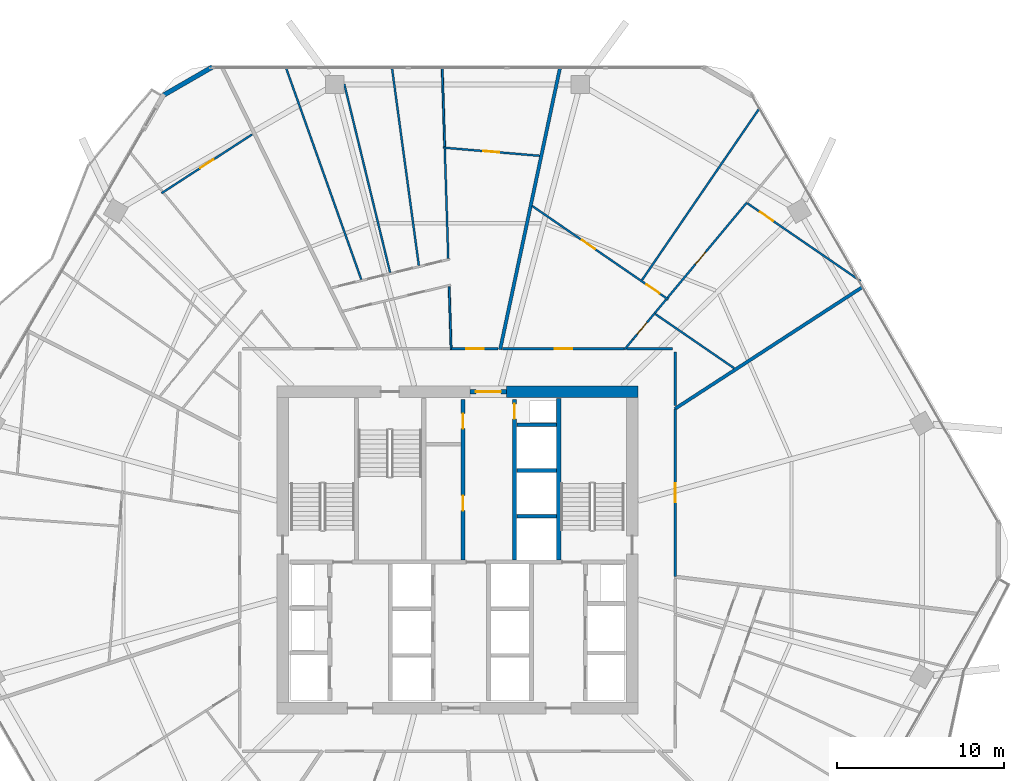
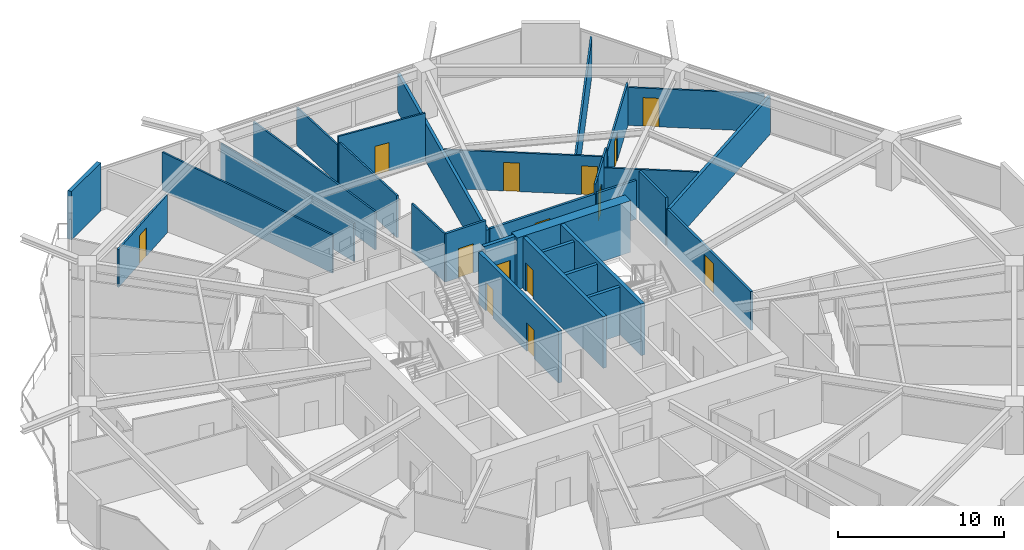
# One storey, part 27 of 32: 32 walls, 14 doors, 14 openings.
"""IFC4 building model written with IfcOpenShell, lengths in metres."""

from ifc_helpers import new_model, si_unit, direction, frame, frame_2d, origin, place, context, subcontext, project, spatial, rectangle, extrude, material, layer, layer_set, type_object, element, fill, save


model = new_model("IFC4")

# Units and contexts
model_context = context("Model", 3, precision=1e-05, world=origin(), true_north=direction((0.0, 1.0)))
body_context = subcontext(model_context, "Body", "Model", "MODEL_VIEW")
ifc_project = project(units=[si_unit("LENGTHUNIT", "METRE"), si_unit("AREAUNIT", "SQUARE_METRE"), si_unit("VOLUMEUNIT", "CUBIC_METRE"), si_unit("PLANEANGLEUNIT", "RADIAN"), si_unit("MASSUNIT", "GRAM", prefix="KILO")], contexts=[model_context])

# Site, building, storey
site_placement = place(None, origin())
site = spatial("IfcSite", under=ifc_project, at=site_placement, CompositionType="ELEMENT")
building_placement = place(site_placement, origin())
building = spatial("IfcBuilding", under=site, at=building_placement, Name="Zuhravey Tower", CompositionType="ELEMENT")
storey_placement = place(building_placement, frame((0.0, 0.0, 119.0)))
storey = spatial("IfcBuildingStorey", under=building, at=storey_placement, Name="L29", CompositionType="ELEMENT", Elevation=119.0)

# Wall
ifc_material_1 = material(Name="Concrete C60/75", Category="concrete")
ifc_layer_1 = layer(ifc_material_1, 0.699951171875)
ifc_layer_set_1 = layer_set([ifc_layer_1], Name="Concrete C60/75")
wall_type_1 = type_object("IfcWallType", Name="Core Shear Wall 700", PredefinedType="SHEAR", material=ifc_layer_set_1)
wall_1_placement = place(storey_placement, frame((46.85009765625, 41.5, 0.0), z_axis=(0.0, 0.0, 1.0), x_axis=(-1.0, 0.0, 0.0)))
element("IfcWall", 1, at=wall_1_placement, inside=storey, type_object=wall_type_1, Name="L29 North-East Core Shear Wall CW70", PredefinedType="SHEAR", context=body_context, shape_type="SweptSolid", body=[
    extrude(rectangle(XDim=7.900146484375, YDim=0.699951171875, at=frame_2d((3.9501953125, 0.0))), origin(), (0.0, 0.0, 1.0), 3.800048828125),
])

# Wall, opening, door
ifc_material_2 = material(Name="Gypsum fire-rated stud partition")
ifc_layer_2 = layer(ifc_material_2, 0.159912109375)
ifc_layer_set_2 = layer_set([ifc_layer_2], Name="Gypsum fire-rated stud partition")
wall_type_2 = type_object("IfcWallType", Name="Corridor Fire Partition 160", PredefinedType="PARTITIONING", material=ifc_layer_set_2)
wall_2_placement = place(storey_placement, frame((46.031494140625, 44.080078125, 0.0), z_axis=(0.0, 0.0, 1.0), x_axis=(-1.0, 0.0, 0.0)))
wall_2 = element("IfcWall", 2, at=wall_2_placement, inside=storey, type_object=wall_type_2, Name="L29 IW16 Partition 024", PredefinedType="PARTITIONING", context=body_context, shape_type="SweptSolid", body=[
    extrude(rectangle(XDim=7.3330078125, YDim=0.159912109375, at=frame_2d((3.66650390625, 0.0))), origin(), (0.0, 0.0, 1.0), 2.85009765625),
])
opening_1_placement = place(wall_2_placement, frame((3.1416015625, 0.0, 0.0)))
opening_1 = element("IfcOpeningElement", 3, at=opening_1_placement, cuts=wall_2, Name="Opening APD1", PredefinedType="OPENING", context=body_context, shape_type="SweptSolid", body=[
    extrude(rectangle(XDim=1.050048828125, YDim=2.14990234375, at=frame_2d((0.52490234375, 1.074951171875))), frame((0.0, 0.092041015625, 0.0), z_axis=(0.0, -1.0, 0.0), x_axis=(1.0, 0.0, 0.0)), (0.0, 0.0, 1.0), 0.183837890625),
])
ifc_material_3 = material(Name="Solid-core oak fire-rated leaf")
door_type_1 = type_object("IfcDoorType", Name="Apartment Entrance Fire Door 1050x2150", OperationType="NOTDEFINED", PredefinedType="DOOR", material=ifc_material_3)
door_1_placement = place(opening_1_placement, frame((1.050048828125, 0.0, 0.0), z_axis=(0.0, 0.0, 1.0), x_axis=(-1.0, 0.0, 0.0)))
door_1 = element("IfcDoor", 4, at=door_1_placement, inside=storey, type_object=door_type_1, Name="L29 Door 024.1", OperationType="SINGLE_SWING_RIGHT", OverallHeight=2.14990234375, OverallWidth=1.050048828125, PredefinedType="DOOR", context=body_context, shape_type="SweptSolid", body=[
    extrude(rectangle(XDim=1.050048828125, YDim=2.14990234375, at=frame_2d((0.52490234375, 1.074951171875))), frame((0.0, 0.02490234375, 0.0), z_axis=(0.0, -1.0, 0.0), x_axis=(1.0, 0.0, 0.0)), (0.0, 0.0, 1.0), 0.050048828125),
])
fill(opening_1, door_1)

wall_3_placement = place(storey_placement, frame((38.437255859375, 44.080078125, 0.0), z_axis=(0.0, 0.0, 1.0), x_axis=(-1.0, 0.0, 0.0)))
wall_3 = element("IfcWall", 5, at=wall_3_placement, inside=storey, type_object=wall_type_2, Name="L29 IW16 Partition 028", PredefinedType="PARTITIONING", context=body_context, shape_type="SweptSolid", body=[
    extrude(rectangle(XDim=2.801025390625, YDim=0.159912109375, at=frame_2d((1.400390625, 0.0))), origin(), (0.0, 0.0, 1.0), 3.550048828125),
])
opening_2_placement = place(wall_3_placement, frame((0.87548828125, 0.0, 0.0)))
opening_2 = element("IfcOpeningElement", 6, at=opening_2_placement, cuts=wall_3, Name="Opening APD1", PredefinedType="OPENING", context=body_context, shape_type="SweptSolid", body=[
    extrude(rectangle(XDim=1.050048828125, YDim=2.14990234375, at=frame_2d((0.52490234375, 1.074951171875))), frame((0.0, 0.092041015625, 0.0), z_axis=(0.0, -1.0, 0.0), x_axis=(1.0, 0.0, 0.0)), (0.0, 0.0, 1.0), 0.183837890625),
])
door_2_placement = place(opening_2_placement, frame((1.050048828125, 0.0, 0.0), z_axis=(0.0, 0.0, 1.0), x_axis=(-1.0, 0.0, 0.0)))
door_2 = element("IfcDoor", 7, at=door_2_placement, inside=storey, type_object=door_type_1, Name="L29 Door 028.1", OperationType="SINGLE_SWING_RIGHT", OverallHeight=2.14990234375, OverallWidth=1.050048828125, PredefinedType="DOOR", context=body_context, shape_type="SweptSolid", body=[
    extrude(rectangle(XDim=1.050048828125, YDim=2.14990234375, at=frame_2d((0.52490234375, 1.074951171875))), frame((0.0, 0.02490234375, 0.0), z_axis=(0.0, -1.0, 0.0), x_axis=(1.0, 0.0, 0.0)), (0.0, 0.0, 1.0), 0.050048828125),
])
fill(opening_2, door_2)

wall_4_placement = place(storey_placement, frame((49.080078125, 30.4140625, 0.0), z_axis=(0.0, 0.0, 1.0), x_axis=(0.0, 1.0, 0.0)))
wall_4 = element("IfcWall", 8, at=wall_4_placement, inside=storey, type_object=wall_type_2, Name="L29 IW16 Partition 058", PredefinedType="PARTITIONING", context=body_context, shape_type="SweptSolid", body=[
    extrude(rectangle(XDim=10.056396484375, YDim=0.159912109375, at=frame_2d((5.0283203125, 0.0))), origin(), (0.0, 0.0, 1.0), 2.85009765625),
])
opening_3_placement = place(wall_4_placement, frame((4.453125, 0.0, 0.0)))
opening_3 = element("IfcOpeningElement", 9, at=opening_3_placement, cuts=wall_4, Name="Opening CLD1", PredefinedType="OPENING", context=body_context, shape_type="SweptSolid", body=[
    extrude(rectangle(XDim=1.14990234375, YDim=2.199951171875, at=frame_2d((0.574951171875, 1.10009765625))), frame((0.0, 0.092041015625, 0.0), z_axis=(0.0, -1.0, 0.0), x_axis=(1.0, 0.0, 0.0)), (0.0, 0.0, 1.0), 0.183837890625),
])
ifc_material_4 = material(Name="Acoustic timber leaf with vision lite", Category="wood")
door_type_2 = type_object("IfcDoorType", Name="Classroom Acoustic Door 1150x2200", OperationType="NOTDEFINED", PredefinedType="DOOR", material=ifc_material_4)
door_3_placement = place(opening_3_placement, frame((1.14990234375, 0.0, 0.0), z_axis=(0.0, 0.0, 1.0), x_axis=(-1.0, 0.0, 0.0)))
door_3 = element("IfcDoor", 10, at=door_3_placement, inside=storey, type_object=door_type_2, Name="L29 Door 058.1", OperationType="SINGLE_SWING_LEFT", OverallHeight=2.199951171875, OverallWidth=1.14990234375, PredefinedType="DOOR", context=body_context, shape_type="SweptSolid", body=[
    extrude(rectangle(XDim=1.14990234375, YDim=2.199951171875, at=frame_2d((0.574951171875, 1.10009765625))), frame((0.0, 0.02490234375, 0.0), z_axis=(0.0, -1.0, 0.0), x_axis=(1.0, 0.0, 0.0)), (0.0, 0.0, 1.0), 0.050048828125),
])
fill(opening_3, door_3)

# Walls
wall_5_placement = place(storey_placement, frame((49.080078125, 40.681396484375, 0.0), z_axis=(0.0, 0.0, 1.0), x_axis=(0.0, 1.0, 0.0)))
element("IfcWall", 11, at=wall_5_placement, inside=storey, type_object=wall_type_2, Name="L29 IW16 Partition 114", PredefinedType="PARTITIONING", context=body_context, shape_type="SweptSolid", body=[
    extrude(rectangle(XDim=3.218505859375, YDim=0.159912109375, at=frame_2d((1.609375, 0.0))), origin(), (0.0, 0.0, 1.0), 3.550048828125),
])
wall_6_placement = place(storey_placement, frame((48.89990234375, 44.080078125, 0.0), z_axis=(0.0, 0.0, 1.0), x_axis=(-1.0, 0.0, 0.0)))
element("IfcWall", 12, at=wall_6_placement, inside=storey, type_object=wall_type_2, Name="L29 IW16 Partition 115", PredefinedType="PARTITIONING", context=body_context, shape_type="SweptSolid", body=[
    extrude(rectangle(XDim=2.75390625, YDim=0.159912109375, at=frame_2d((1.376953125, 0.0))), origin(), (0.0, 0.0, 1.0), 2.85009765625),
])
ifc_material_5 = material(Name="Precast concrete C40/50", Category="concrete")
ifc_layer_3 = layer(ifc_material_5, 0.280029296875)
ifc_layer_set_3 = layer_set([ifc_layer_3], Name="Precast concrete C40/50")
wall_type_3 = type_object("IfcWallType", Name="Crown Architectural Wall 280", PredefinedType="SOLIDWALL", material=ifc_layer_set_3)
wall_7_placement = place(storey_placement, frame((18.23876953125, 59.24853515625, 0.0), z_axis=(0.0, 0.0, 1.0), x_axis=(0.866007452331, 0.500031091541, 0.0)))
element("IfcWall", 13, at=wall_7_placement, inside=storey, type_object=wall_type_3, Name="L29 Rounded Corner Closure Wall EW28-08", PredefinedType="SOLIDWALL", context=body_context, shape_type="SweptSolid", body=[
    extrude(rectangle(XDim=3.514892578125, YDim=0.280029296875, at=frame_2d((1.75732421875, 0.0))), origin(), (0.0, 0.0, 1.0), 3.550048828125),
])

# Wall, opening, door
ifc_material_6 = material(Name="Concrete C50/60", Category="concrete")
ifc_layer_4 = layer(ifc_material_6, 0.25)
ifc_layer_set_4 = layer_set([ifc_layer_4], Name="Concrete C50/60")
wall_type_4 = type_object("IfcWallType", Name="Firefighting Shaft & Stair Wall 250", PredefinedType="SOLIDWALL", material=ifc_layer_set_4)
wall_8_placement = place(storey_placement, frame((36.760009765625, 41.5, 0.0), z_axis=(0.0, 0.0, 1.0), x_axis=(1.0, 0.0, 0.0)))
wall_8 = element("IfcWall", 14, at=wall_8_placement, inside=storey, type_object=wall_type_4, Name="L29 FW25 Shaft Wall 002", PredefinedType="SOLIDWALL", context=body_context, shape_type="SweptSolid", body=[
    extrude(rectangle(XDim=2.179931640625, YDim=0.25, at=frame_2d((1.08984375, 0.0))), origin(), (0.0, 0.0, 1.0), 3.800048828125),
])
opening_4_placement = place(wall_8_placement, frame((0.340087890625, 0.0, 0.0)))
opening_4 = element("IfcOpeningElement", 15, at=opening_4_placement, cuts=wall_8, Name="Opening FFD1", PredefinedType="OPENING", context=body_context, shape_type="SweptSolid", body=[
    extrude(rectangle(XDim=1.5, YDim=2.14990234375, at=frame_2d((0.75, 1.074951171875))), frame((0.0, 0.136962890625, 0.0), z_axis=(0.0, -1.0, 0.0), x_axis=(1.0, 0.0, 0.0)), (0.0, 0.0, 1.0), 0.27392578125),
])
ifc_material_7 = material(Name="Galvanised fire-rated steel leaf", Category="steel")
door_type_3 = type_object("IfcDoorType", Name="Firefighting Lobby Double Door 1500x2150", OperationType="DOUBLE_DOOR_SINGLE_SWING", PredefinedType="DOOR", material=ifc_material_7)
door_4_placement = place(opening_4_placement, origin())
door_4 = element("IfcDoor", 16, at=door_4_placement, inside=storey, type_object=door_type_3, Name="L29 North Lift Lobby Exit Door", OperationType="DOUBLE_DOOR_SINGLE_SWING", OverallHeight=2.14990234375, OverallWidth=1.5, PredefinedType="DOOR", context=body_context, shape_type="SweptSolid", body=[
    extrude(rectangle(XDim=1.5, YDim=2.14990234375, at=frame_2d((0.75, 1.074951171875))), frame((0.0, 0.02490234375, 0.0), z_axis=(0.0, -1.0, 0.0), x_axis=(1.0, 0.0, 0.0)), (0.0, 0.0, 1.0), 0.050048828125),
])
fill(opening_4, door_4)

# Wall
wall_9_placement = place(storey_placement, frame((42.074951171875, 31.39990234375, 0.0), z_axis=(0.0, 0.0, 1.0), x_axis=(0.0, 1.0, 0.0)))
element("IfcWall", 17, at=wall_9_placement, inside=storey, type_object=wall_type_4, Name="L29 FW25 Shaft Wall 006", PredefinedType="SOLIDWALL", context=body_context, shape_type="SweptSolid", body=[
    extrude(rectangle(XDim=9.7001953125, YDim=0.25, at=frame_2d((4.85009765625, 0.0))), origin(), (0.0, 0.0, 1.0), 3.800048828125),
])

# Wall, openings, doors
wall_10_placement = place(storey_placement, frame((36.324951171875, 31.39990234375, 0.0), z_axis=(0.0, 0.0, 1.0), x_axis=(0.0, 1.0, 0.0)))
wall_10 = element("IfcWall", 18, at=wall_10_placement, inside=storey, type_object=wall_type_4, Name="L29 FW25 Shaft Wall 007", PredefinedType="SOLIDWALL", context=body_context, shape_type="SweptSolid", body=[
    extrude(rectangle(XDim=9.650146484375, YDim=0.25, at=frame_2d((4.8251953125, 0.0))), origin(), (0.0, 0.0, 1.0), 3.800048828125),
])
opening_5_placement = place(wall_10_placement, frame((2.965087890625, 0.0, 0.0)))
opening_5 = element("IfcOpeningElement", 19, at=opening_5_placement, cuts=wall_10, Name="Opening RSD1", PredefinedType="OPENING", context=body_context, shape_type="SweptSolid", body=[
    extrude(rectangle(XDim=0.89990234375, YDim=2.10009765625, at=frame_2d((0.449951171875, 1.050048828125))), frame((0.0, 0.136962890625, 0.0), z_axis=(0.0, -1.0, 0.0), x_axis=(1.0, 0.0, 0.0)), (0.0, 0.0, 1.0), 0.27392578125),
])
opening_6_placement = place(wall_10_placement, frame((7.885009765625, 0.0, 0.0)))
opening_6 = element("IfcOpeningElement", 20, at=opening_6_placement, cuts=wall_10, Name="Opening RSD1", PredefinedType="OPENING", context=body_context, shape_type="SweptSolid", body=[
    extrude(rectangle(XDim=0.89990234375, YDim=2.10009765625, at=frame_2d((0.449951171875, 1.050048828125))), frame((0.0, 0.136962890625, 0.0), z_axis=(0.0, -1.0, 0.0), x_axis=(1.0, 0.0, 0.0)), (0.0, 0.0, 1.0), 0.27392578125),
])
ifc_material_8 = material(Name="Galvanised fire-rated steel access leaf", Category="steel")
door_type_4 = type_object("IfcDoorType", Name="Riser & Shaft Access Fire Door 900x2100", OperationType="NOTDEFINED", PredefinedType="DOOR", material=ifc_material_8)
door_5_placement = place(opening_5_placement, origin())
door_5 = element("IfcDoor", 21, at=door_5_placement, inside=storey, type_object=door_type_4, Name="L29 Equipment and Refuse Store Door", OperationType="SINGLE_SWING_LEFT", OverallHeight=2.10009765625, OverallWidth=0.89990234375, PredefinedType="DOOR", context=body_context, shape_type="SweptSolid", body=[
    extrude(rectangle(XDim=0.89990234375, YDim=2.10009765625, at=frame_2d((0.449951171875, 1.050048828125))), frame((0.0, 0.02490234375, 0.0), z_axis=(0.0, -1.0, 0.0), x_axis=(1.0, 0.0, 0.0)), (0.0, 0.0, 1.0), 0.050048828125),
])
fill(opening_5, door_5)
door_6_placement = place(opening_6_placement, origin())
door_6 = element("IfcDoor", 22, at=door_6_placement, inside=storey, type_object=door_type_4, Name="L29 BMS Control Room Door", OperationType="SINGLE_SWING_RIGHT", OverallHeight=2.10009765625, OverallWidth=0.89990234375, PredefinedType="DOOR", context=body_context, shape_type="SweptSolid", body=[
    extrude(rectangle(XDim=0.89990234375, YDim=2.10009765625, at=frame_2d((0.449951171875, 1.050048828125))), frame((0.0, 0.02490234375, 0.0), z_axis=(0.0, -1.0, 0.0), x_axis=(1.0, 0.0, 0.0)), (0.0, 0.0, 1.0), 0.050048828125),
])
fill(opening_6, door_6)

# Wall, opening, door
wall_11_placement = place(storey_placement, frame((39.425048828125, 31.39990234375, 0.0), z_axis=(0.0, 0.0, 1.0), x_axis=(0.0, 1.0, 0.0)))
wall_11 = element("IfcWall", 23, at=wall_11_placement, inside=storey, type_object=wall_type_4, Name="L29 FW25 Shaft Wall 008", PredefinedType="SOLIDWALL", context=body_context, shape_type="SweptSolid", body=[
    extrude(rectangle(XDim=9.650146484375, YDim=0.25, at=frame_2d((4.8251953125, 0.0))), origin(), (0.0, 0.0, 1.0), 3.800048828125),
])
opening_7_placement = place(wall_11_placement, frame((8.469970703125, 0.0, 0.0)))
opening_7 = element("IfcOpeningElement", 24, at=opening_7_placement, cuts=wall_11, Name="Opening RSD1", PredefinedType="OPENING", context=body_context, shape_type="SweptSolid", body=[
    extrude(rectangle(XDim=0.89990234375, YDim=2.10009765625, at=frame_2d((0.449951171875, 1.050048828125))), frame((0.0, 0.136962890625, 0.0), z_axis=(0.0, -1.0, 0.0), x_axis=(1.0, 0.0, 0.0)), (0.0, 0.0, 1.0), 0.27392578125),
])
door_7_placement = place(opening_7_placement, origin())
door_7 = element("IfcDoor", 25, at=door_7_placement, inside=storey, type_object=door_type_4, Name="L29 North Riser Door", OperationType="SINGLE_SWING_LEFT", OverallHeight=2.10009765625, OverallWidth=0.89990234375, PredefinedType="DOOR", context=body_context, shape_type="SweptSolid", body=[
    extrude(rectangle(XDim=0.89990234375, YDim=2.10009765625, at=frame_2d((0.449951171875, 1.050048828125))), frame((0.0, 0.02490234375, 0.0), z_axis=(0.0, -1.0, 0.0), x_axis=(1.0, 0.0, 0.0)), (0.0, 0.0, 1.0), 0.050048828125),
])
fill(opening_7, door_7)

# Walls
ifc_material_9 = material(Name="Gypsum double-stud party assembly")
ifc_layer_5 = layer(ifc_material_9, 0.199951171875)
ifc_layer_set_5 = layer_set([ifc_layer_5], Name="Gypsum double-stud party assembly")
wall_type_5 = type_object("IfcWallType", Name="Inter-Tenancy Party Wall 200", PredefinedType="PARTITIONING", material=ifc_layer_set_5)
wall_12_placement = place(storey_placement, frame((49.043212890625, 40.470458984375, 0.0), z_axis=(0.0, 0.0, 1.0), x_axis=(0.8386663159, 0.544645582535, 0.0)))
element("IfcWall", 26, at=wall_12_placement, inside=storey, type_object=wall_type_5, Name="L29 IW20 Partition 067", PredefinedType="PARTITIONING", context=body_context, shape_type="SweptSolid", body=[
    extrude(rectangle(XDim=13.44580078125, YDim=0.199951171875, at=frame_2d((6.722900390625, 0.0))), origin(), (0.0, 0.0, 1.0), 2.800048828125),
])
wall_13_placement = place(storey_placement, frame((38.55908203125, 44.0400390625, 0.0), z_axis=(0.0, 0.0, 1.0), x_axis=(0.207915139831, 0.978146867617, 0.0)))
element("IfcWall", 27, at=wall_13_placement, inside=storey, type_object=wall_type_5, Name="L29 IW20 Partition 072", PredefinedType="PARTITIONING", context=body_context, shape_type="SweptSolid", body=[
    extrude(rectangle(XDim=17.29638671875, YDim=0.199951171875, at=frame_2d((8.648193359375, 0.0))), origin(), (0.0, 0.0, 1.0), 2.800048828125),
])
ifc_material_10 = material(Name="Gypsum acoustic stud assembly")
ifc_layer_6 = layer(ifc_material_10, 0.219970703125)
ifc_layer_set_6 = layer_set([ifc_layer_6], Name="Gypsum acoustic stud assembly")
wall_type_6 = type_object("IfcWallType", Name="School Acoustic Compartment Wall 220", PredefinedType="PARTITIONING", material=ifc_layer_set_6)
for number, where, z_axis, x_axis, name in (
    (28, (39.55810546875, 34.02490234375, 0.0), (0.0, 0.0, 1.0), (1.0, 0.0, 0.0), "L29 IW22 Partition 060"),
    (29, (39.55810546875, 36.77490234375, 0.0), (0.0, 0.0, 1.0), (1.0, 0.0, 0.0), "L29 IW22 Partition 061"),
    (30, (39.55810546875, 39.52490234375, 0.0), (0.0, 0.0, 1.0), (1.0, 0.0, 0.0), "L29 IW22 Partition 062"),
):
    element("IfcWall", number, at=place(storey_placement, frame(where, z_axis=z_axis, x_axis=x_axis)), inside=storey, type_object=wall_type_6, Name=name, PredefinedType="PARTITIONING", context=body_context, shape_type="SweptSolid", body=[
        extrude(rectangle(XDim=2.3837890625, YDim=0.219970703125, at=frame_2d((1.19189453125, 0.0))), origin(), (0.0, 0.0, 1.0), 3.550048828125),
    ])

# Wall, openings, doors
ifc_material_11 = material(Name="Gypsum metal-stud partition")
ifc_layer_7 = layer(ifc_material_11, 0.1201171875)
ifc_layer_set_7 = layer_set([ifc_layer_7], Name="Gypsum metal-stud partition")
wall_type_7 = type_object("IfcWallType", Name="Unit Internal Partition 120", PredefinedType="PARTITIONING", material=ifc_layer_set_7)
wall_14_placement = place(storey_placement, frame((48.656005859375, 47.044677734375, 0.0), z_axis=(0.0, 0.0, 1.0), x_axis=(-0.824135244069, 0.566393060943, 0.0)))
wall_14 = element("IfcWall", 31, at=wall_14_placement, inside=storey, type_object=wall_type_7, Name="L29 IW12 Partition 019", PredefinedType="PARTITIONING", context=body_context, shape_type="SweptSolid", body=[
    extrude(rectangle(XDim=9.922119140625, YDim=0.1201171875, at=frame_2d((4.9609375, 0.0))), origin(), (0.0, 0.0, 1.0), 2.85009765625),
])
opening_8_placement = place(wall_14_placement, frame((0.62451171875, 0.0, 0.0)))
opening_8 = element("IfcOpeningElement", 32, at=opening_8_placement, cuts=wall_14, Name="Opening IND1", PredefinedType="OPENING", context=body_context, shape_type="SweptSolid", body=[
    extrude(rectangle(XDim=0.949951171875, YDim=2.10009765625, at=frame_2d((0.47509765625, 1.050048828125))), frame((0.0, 0.072021484375, 0.0), z_axis=(0.0, -1.0, 0.0), x_axis=(1.0, 0.0, 0.0)), (0.0, 0.0, 1.0), 0.14404296875),
])
opening_9_placement = place(wall_14_placement, frame((5.345703125, 0.0, 0.0)))
opening_9 = element("IfcOpeningElement", 33, at=opening_9_placement, cuts=wall_14, Name="Opening IND1", PredefinedType="OPENING", context=body_context, shape_type="SweptSolid", body=[
    extrude(rectangle(XDim=0.949951171875, YDim=2.10009765625, at=frame_2d((0.47509765625, 1.050048828125))), frame((0.0, 0.072021484375, 0.0), z_axis=(0.0, -1.0, 0.0), x_axis=(1.0, 0.0, 0.0)), (0.0, 0.0, 1.0), 0.14404296875),
])
ifc_material_12 = material(Name="Painted engineered timber leaf", Category="wood")
door_type_5 = type_object("IfcDoorType", Name="Internal Room & Bedroom Door 950x2100", OperationType="NOTDEFINED", PredefinedType="DOOR", material=ifc_material_12)
door_8_placement = place(opening_8_placement, frame((0.949951171875, 0.0, 0.0), z_axis=(0.0, 0.0, 1.0), x_axis=(-1.0, 0.0, 0.0)))
door_8 = element("IfcDoor", 34, at=door_8_placement, inside=storey, type_object=door_type_5, Name="Apartment L29-01 Family Study Door", OperationType="SINGLE_SWING_LEFT", OverallHeight=2.10009765625, OverallWidth=0.949951171875, PredefinedType="DOOR", context=body_context, shape_type="SweptSolid", body=[
    extrude(rectangle(XDim=0.949951171875, YDim=2.10009765625, at=frame_2d((0.47509765625, 1.050048828125))), frame((0.0, 0.02490234375, 0.0), z_axis=(0.0, -1.0, 0.0), x_axis=(1.0, 0.0, 0.0)), (0.0, 0.0, 1.0), 0.050048828125),
])
fill(opening_8, door_8)
door_9_placement = place(opening_9_placement, frame((0.949951171875, 0.0, 0.0), z_axis=(0.0, 0.0, 1.0), x_axis=(-1.0, 0.0, 0.0)))
door_9 = element("IfcDoor", 35, at=door_9_placement, inside=storey, type_object=door_type_5, Name="Apartment L29-01 Dining Room Door", OperationType="SINGLE_SWING_RIGHT", OverallHeight=2.10009765625, OverallWidth=0.949951171875, PredefinedType="DOOR", context=body_context, shape_type="SweptSolid", body=[
    extrude(rectangle(XDim=0.949951171875, YDim=2.10009765625, at=frame_2d((0.47509765625, 1.050048828125))), frame((0.0, 0.02490234375, 0.0), z_axis=(0.0, -1.0, 0.0), x_axis=(1.0, 0.0, 0.0)), (0.0, 0.0, 1.0), 0.050048828125),
])
fill(opening_9, door_9)

# Wall, opening, door
wall_15_placement = place(storey_placement, frame((46.531982421875, 44.64990234375, 0.0), z_axis=(0.0, 0.0, 1.0), x_axis=(0.639844525029, 0.768504381114, 0.0)))
wall_15 = element("IfcWall", 36, at=wall_15_placement, inside=storey, type_object=wall_type_7, Name="L29 IW12 Partition 020", PredefinedType="PARTITIONING", context=body_context, shape_type="SweptSolid", body=[
    extrude(rectangle(XDim=2.04931640625, YDim=0.1201171875, at=frame_2d((1.024658203125, 0.0))), origin(), (0.0, 0.0, 1.0), 3.550048828125),
])
opening_10_placement = place(wall_15_placement, frame((0.41064453125, 0.0, 0.0)))
opening_10 = element("IfcOpeningElement", 37, at=opening_10_placement, cuts=wall_15, Name="Opening WCD1", PredefinedType="OPENING", context=body_context, shape_type="SweptSolid", body=[
    extrude(rectangle(XDim=0.89990234375, YDim=2.10009765625, at=frame_2d((0.449951171875, 1.050048828125))), frame((0.0, 0.072021484375, 0.0), z_axis=(0.0, -1.0, 0.0), x_axis=(1.0, 0.0, 0.0)), (0.0, 0.0, 1.0), 0.14404296875),
])
ifc_material_13 = material(Name="Moisture-resistant timber leaf", Category="wood")
door_type_6 = type_object("IfcDoorType", Name="Bathroom & WC Internal Door 900x2100", OperationType="NOTDEFINED", PredefinedType="DOOR", material=ifc_material_13)
door_10_placement = place(opening_10_placement, frame((0.89990234375, 0.0, 0.0), z_axis=(0.0, 0.0, 1.0), x_axis=(-1.0, 0.0, 0.0)))
door_10 = element("IfcDoor", 38, at=door_10_placement, inside=storey, type_object=door_type_6, Name="Apartment L29-01 Bathroom Door", OperationType="SINGLE_SWING_LEFT", OverallHeight=2.10009765625, OverallWidth=0.89990234375, PredefinedType="DOOR", context=body_context, shape_type="SweptSolid", body=[
    extrude(rectangle(XDim=0.89990234375, YDim=2.10009765625, at=frame_2d((0.449951171875, 1.050048828125))), frame((0.0, 0.02490234375, 0.0), z_axis=(0.0, -1.0, 0.0), x_axis=(1.0, 0.0, 0.0)), (0.0, 0.0, 1.0), 0.050048828125),
])
fill(opening_10, door_10)

# Wall
wall_16_placement = place(storey_placement, frame((47.84326171875, 46.224853515625, 0.0), z_axis=(0.0, 0.0, 1.0), x_axis=(0.639870887219, 0.768482431608, 0.0)))
element("IfcWall", 39, at=wall_16_placement, inside=storey, type_object=wall_type_7, Name="L29 IW12 Partition 021", PredefinedType="PARTITIONING", context=body_context, shape_type="SweptSolid", body=[
    extrude(rectangle(XDim=1.072509765625, YDim=0.1201171875, at=frame_2d((0.5361328125, 0.0))), origin(), (0.0, 0.0, 1.0), 3.550048828125),
])

# Wall, opening, door
wall_17_placement = place(storey_placement, frame((48.616943359375, 47.15380859375, 0.0), z_axis=(0.0, 0.0, 1.0), x_axis=(0.639832473506, 0.768514414859, 0.0)))
wall_17 = element("IfcWall", 40, at=wall_17_placement, inside=storey, type_object=wall_type_7, Name="L29 IW12 Partition 022", PredefinedType="PARTITIONING", context=body_context, shape_type="SweptSolid", body=[
    extrude(rectangle(XDim=7.43896484375, YDim=0.1201171875, at=frame_2d((3.719482421875, 0.0))), origin(), (0.0, 0.0, 1.0), 3.10009765625),
])
opening_11_placement = place(wall_17_placement, frame((2.614990234375, 0.0, 0.0)))
opening_11 = element("IfcOpeningElement", 41, at=opening_11_placement, cuts=wall_17, Name="Opening IND1", PredefinedType="OPENING", context=body_context, shape_type="SweptSolid", body=[
    extrude(rectangle(XDim=0.949951171875, YDim=2.10009765625, at=frame_2d((0.47509765625, 1.050048828125))), frame((0.0, 0.072021484375, 0.0), z_axis=(0.0, -1.0, 0.0), x_axis=(1.0, 0.0, 0.0)), (0.0, 0.0, 1.0), 0.14404296875),
])
door_11_placement = place(opening_11_placement, frame((0.949951171875, 0.0, 0.0), z_axis=(0.0, 0.0, 1.0), x_axis=(-1.0, 0.0, 0.0)))
door_11 = element("IfcDoor", 42, at=door_11_placement, inside=storey, type_object=door_type_5, Name="Apartment L29-01 Home Office Door", OperationType="SINGLE_SWING_RIGHT", OverallHeight=2.10009765625, OverallWidth=0.949951171875, PredefinedType="DOOR", context=body_context, shape_type="SweptSolid", body=[
    extrude(rectangle(XDim=0.949951171875, YDim=2.10009765625, at=frame_2d((0.47509765625, 1.050048828125))), frame((0.0, 0.02490234375, 0.0), z_axis=(0.0, -1.0, 0.0), x_axis=(1.0, 0.0, 0.0)), (0.0, 0.0, 1.0), 0.050048828125),
])
fill(opening_11, door_11)

wall_18_placement = place(storey_placement, frame((60.209716796875, 48.144287109375, 0.0), z_axis=(0.0, 0.0, 1.0), x_axis=(-0.824115377847, 0.566421966379, 0.0)))
wall_18 = element("IfcWall", 43, at=wall_18_placement, inside=storey, type_object=wall_type_7, Name="L29 IW12 Partition 023", PredefinedType="PARTITIONING", context=body_context, shape_type="SweptSolid", body=[
    extrude(rectangle(XDim=8.242431640625, YDim=0.1201171875, at=frame_2d((4.12109375, 0.0))), origin(), (0.0, 0.0, 1.0), 2.800048828125),
])
opening_12_placement = place(wall_18_placement, frame((6.39013671875, 0.0, 0.0)))
opening_12 = element("IfcOpeningElement", 44, at=opening_12_placement, cuts=wall_18, Name="Opening IND1", PredefinedType="OPENING", context=body_context, shape_type="SweptSolid", body=[
    extrude(rectangle(XDim=0.949951171875, YDim=2.10009765625, at=frame_2d((0.47509765625, 1.050048828125))), frame((0.0, 0.072021484375, 0.0), z_axis=(0.0, -1.0, 0.0), x_axis=(1.0, 0.0, 0.0)), (0.0, 0.0, 1.0), 0.14404296875),
])
door_12_placement = place(opening_12_placement, frame((0.949951171875, 0.0, 0.0), z_axis=(0.0, 0.0, 1.0), x_axis=(-1.0, 0.0, 0.0)))
door_12 = element("IfcDoor", 45, at=door_12_placement, inside=storey, type_object=door_type_5, Name="Apartment L29-01 Bedroom 1 Door", OperationType="SINGLE_SWING_LEFT", OverallHeight=2.10009765625, OverallWidth=0.949951171875, PredefinedType="DOOR", context=body_context, shape_type="SweptSolid", body=[
    extrude(rectangle(XDim=0.949951171875, YDim=2.10009765625, at=frame_2d((0.47509765625, 1.050048828125))), frame((0.0, 0.02490234375, 0.0), z_axis=(0.0, -1.0, 0.0), x_axis=(1.0, 0.0, 0.0)), (0.0, 0.0, 1.0), 0.050048828125),
])
fill(opening_12, door_12)

wall_19_placement = place(storey_placement, frame((40.91845703125, 55.6728515625, 0.0), z_axis=(0.0, 0.0, 1.0), x_axis=(-0.996433818815, 0.084377987189, 0.0)))
wall_19 = element("IfcWall", 46, at=wall_19_placement, inside=storey, type_object=wall_type_7, Name="L29 IW12 Partition 025", PredefinedType="PARTITIONING", context=body_context, shape_type="SweptSolid", body=[
    extrude(rectangle(XDim=5.80712890625, YDim=0.1201171875, at=frame_2d((2.903564453125, 0.0))), origin(), (0.0, 0.0, 1.0), 3.550048828125),
])
opening_13_placement = place(wall_19_placement, frame((2.428466796875, 0.0, 0.0)))
opening_13 = element("IfcOpeningElement", 47, at=opening_13_placement, cuts=wall_19, Name="Opening IND1", PredefinedType="OPENING", context=body_context, shape_type="SweptSolid", body=[
    extrude(rectangle(XDim=0.949951171875, YDim=2.10009765625, at=frame_2d((0.47509765625, 1.050048828125))), frame((0.0, 0.072021484375, 0.0), z_axis=(0.0, -1.0, 0.0), x_axis=(1.0, 0.0, 0.0)), (0.0, 0.0, 1.0), 0.14404296875),
])
door_13_placement = place(opening_13_placement, frame((0.949951171875, 0.0, 0.0), z_axis=(0.0, 0.0, 1.0), x_axis=(-1.0, 0.0, 0.0)))
door_13 = element("IfcDoor", 48, at=door_13_placement, inside=storey, type_object=door_type_5, Name="Apartment L29-02 Family Study Door", OperationType="SINGLE_SWING_LEFT", OverallHeight=2.10009765625, OverallWidth=0.949951171875, PredefinedType="DOOR", context=body_context, shape_type="SweptSolid", body=[
    extrude(rectangle(XDim=0.949951171875, YDim=2.10009765625, at=frame_2d((0.47509765625, 1.050048828125))), frame((0.0, 0.02490234375, 0.0), z_axis=(0.0, -1.0, 0.0), x_axis=(1.0, 0.0, 0.0)), (0.0, 0.0, 1.0), 0.050048828125),
])
fill(opening_13, door_13)

wall_20_placement = place(storey_placement, frame((23.668701171875, 56.956787109375, 0.0), z_axis=(0.0, 0.0, 1.0), x_axis=(-0.838859022157, -0.544348731005, 0.0)))
wall_20 = element("IfcWall", 49, at=wall_20_placement, inside=storey, type_object=wall_type_7, Name="L29 IW12 Partition 029", PredefinedType="PARTITIONING", context=body_context, shape_type="SweptSolid", body=[
    extrude(rectangle(XDim=6.481689453125, YDim=0.1201171875, at=frame_2d((3.24072265625, 0.0))), origin(), (0.0, 0.0, 1.0), 2.800048828125),
])
opening_14_placement = place(wall_20_placement, frame((2.765869140625, 0.0, 0.0)))
opening_14 = element("IfcOpeningElement", 50, at=opening_14_placement, cuts=wall_20, Name="Opening IND1", PredefinedType="OPENING", context=body_context, shape_type="SweptSolid", body=[
    extrude(rectangle(XDim=0.949951171875, YDim=2.10009765625, at=frame_2d((0.47509765625, 1.050048828125))), frame((0.0, 0.072021484375, 0.0), z_axis=(0.0, -1.0, 0.0), x_axis=(1.0, 0.0, 0.0)), (0.0, 0.0, 1.0), 0.14404296875),
])
door_14_placement = place(opening_14_placement, frame((0.949951171875, 0.0, 0.0), z_axis=(0.0, 0.0, 1.0), x_axis=(-1.0, 0.0, 0.0)))
door_14 = element("IfcDoor", 51, at=door_14_placement, inside=storey, type_object=door_type_5, Name="Apartment L29-03 Family Study Door", OperationType="SINGLE_SWING_LEFT", OverallHeight=2.10009765625, OverallWidth=0.949951171875, PredefinedType="DOOR", context=body_context, shape_type="SweptSolid", body=[
    extrude(rectangle(XDim=0.949951171875, YDim=2.10009765625, at=frame_2d((0.47509765625, 1.050048828125))), frame((0.0, 0.02490234375, 0.0), z_axis=(0.0, -1.0, 0.0), x_axis=(1.0, 0.0, 0.0)), (0.0, 0.0, 1.0), 0.050048828125),
])
fill(opening_14, door_14)

# Walls
wall_21_placement = place(storey_placement, frame((47.07958984375, 48.21044921875, 0.0), z_axis=(0.0, 0.0, 1.0), x_axis=(0.564282651773, 0.825581667013, 0.0)))
element("IfcWall", 52, at=wall_21_placement, inside=storey, type_object=wall_type_7, Name="L29 IW12 Partition 068", PredefinedType="PARTITIONING", context=body_context, shape_type="SweptSolid", body=[
    extrude(rectangle(XDim=12.52197265625, YDim=0.1201171875, at=frame_2d((6.260986328125, 0.0))), origin(), (0.0, 0.0, 1.0), 2.800048828125),
])
wall_22_placement = place(storey_placement, frame((46.031494140625, 44.048583984375, 0.0), z_axis=(0.0, 0.0, 1.0), x_axis=(0.639723867671, 0.768604822475, 0.0)))
element("IfcWall", 53, at=wall_22_placement, inside=storey, type_object=wall_type_7, Name="L29 IW12 Partition 069", PredefinedType="PARTITIONING", context=body_context, shape_type="SweptSolid", body=[
    extrude(rectangle(XDim=0.782470703125, YDim=0.1201171875, at=frame_2d((0.39111328125, 0.0))), origin(), (0.0, 0.0, 1.0), 3.550048828125),
])
wall_23_placement = place(storey_placement, frame((52.612060546875, 42.916748046875, 0.0), z_axis=(0.0, 0.0, 1.0), x_axis=(-0.824125094008, 0.566407829595, 0.0)))
element("IfcWall", 54, at=wall_23_placement, inside=storey, type_object=wall_type_7, Name="L29 IW12 Partition 071", PredefinedType="PARTITIONING", context=body_context, shape_type="SweptSolid", body=[
    extrude(rectangle(XDim=5.73779296875, YDim=0.1201171875, at=frame_2d((2.868896484375, 0.0))), origin(), (0.0, 0.0, 1.0), 2.85009765625),
])
wall_24_placement = place(storey_placement, frame((33.67822265625, 49.082275390625, 0.0), z_axis=(0.0, 0.0, 1.0), x_axis=(-0.134673606825, 0.990890013889, 0.0)))
element("IfcWall", 55, at=wall_24_placement, inside=storey, type_object=wall_type_7, Name="L29 IW12 Partition 074", PredefinedType="PARTITIONING", context=body_context, shape_type="SweptSolid", body=[
    extrude(rectangle(XDim=11.99560546875, YDim=0.1201171875, at=frame_2d((5.997802734375, 0.0))), origin(), (0.0, 0.0, 1.0), 2.800048828125),
])
wall_25_placement = place(storey_placement, frame((31.950439453125, 48.662353515625, 0.0), z_axis=(0.0, 0.0, 1.0), x_axis=(-0.236162753776, 0.971713514226, 0.0)))
element("IfcWall", 56, at=wall_25_placement, inside=storey, type_object=wall_type_7, Name="L29 IW12 Partition 075", PredefinedType="PARTITIONING", context=body_context, shape_type="SweptSolid", body=[
    extrude(rectangle(XDim=11.646484375, YDim=0.1201171875, at=frame_2d((5.8232421875, 0.0))), origin(), (0.0, 0.0, 1.0), 2.800048828125),
])
wall_26_placement = place(storey_placement, frame((30.22265625, 48.242431640625, 0.0), z_axis=(0.0, 0.0, 1.0), x_axis=(-0.335110936566, 0.942178677425, 0.0)))
element("IfcWall", 57, at=wall_26_placement, inside=storey, type_object=wall_type_7, Name="L29 IW12 Partition 076", PredefinedType="PARTITIONING", context=body_context, shape_type="SweptSolid", body=[
    extrude(rectangle(XDim=13.507080078125, YDim=0.1201171875, at=frame_2d((6.75341796875, 0.0))), origin(), (0.0, 0.0, 1.0), 2.800048828125),
])
wall_27_placement = place(storey_placement, frame((35.61767578125, 44.030029296875, 0.0), z_axis=(0.0, 0.0, 1.0), x_axis=(-0.031741277153, 0.999496118714, 0.0)))
element("IfcWall", 58, at=wall_27_placement, inside=storey, type_object=wall_type_7, Name="L29 IW12 Partition 077", PredefinedType="PARTITIONING", context=body_context, shape_type="SweptSolid", body=[
    extrude(rectangle(XDim=3.7919921875, YDim=0.1201171875, at=frame_2d((1.89599609375, 0.0))), origin(), (0.0, 0.0, 1.0), 3.550048828125),
])
wall_28_placement = place(storey_placement, frame((35.443603515625, 49.51123046875, 0.0), z_axis=(0.0, 0.0, 1.0), x_axis=(-0.031770066641, 0.999495204023, 0.0)))
element("IfcWall", 59, at=wall_28_placement, inside=storey, type_object=wall_type_7, Name="L29 IW12 Partition 078", PredefinedType="PARTITIONING", context=body_context, shape_type="SweptSolid", body=[
    extrude(rectangle(XDim=6.578125, YDim=0.1201171875, at=frame_2d((3.2890625, 0.0))), origin(), (0.0, 0.0, 1.0), 3.10009765625),
])
wall_29_placement = place(storey_placement, frame((35.230224609375, 56.22265625, 0.0), z_axis=(0.0, 0.0, 1.0), x_axis=(-0.031724339577, 0.999496656462, 0.0)))
element("IfcWall", 60, at=wall_29_placement, inside=storey, type_object=wall_type_7, Name="L29 IW12 Partition 079", PredefinedType="PARTITIONING", context=body_context, shape_type="SweptSolid", body=[
    extrude(rectangle(XDim=4.748291015625, YDim=0.1201171875, at=frame_2d((2.3740234375, 0.0))), origin(), (0.0, 0.0, 1.0), 2.800048828125),
])

save(model, "model.ifc")
